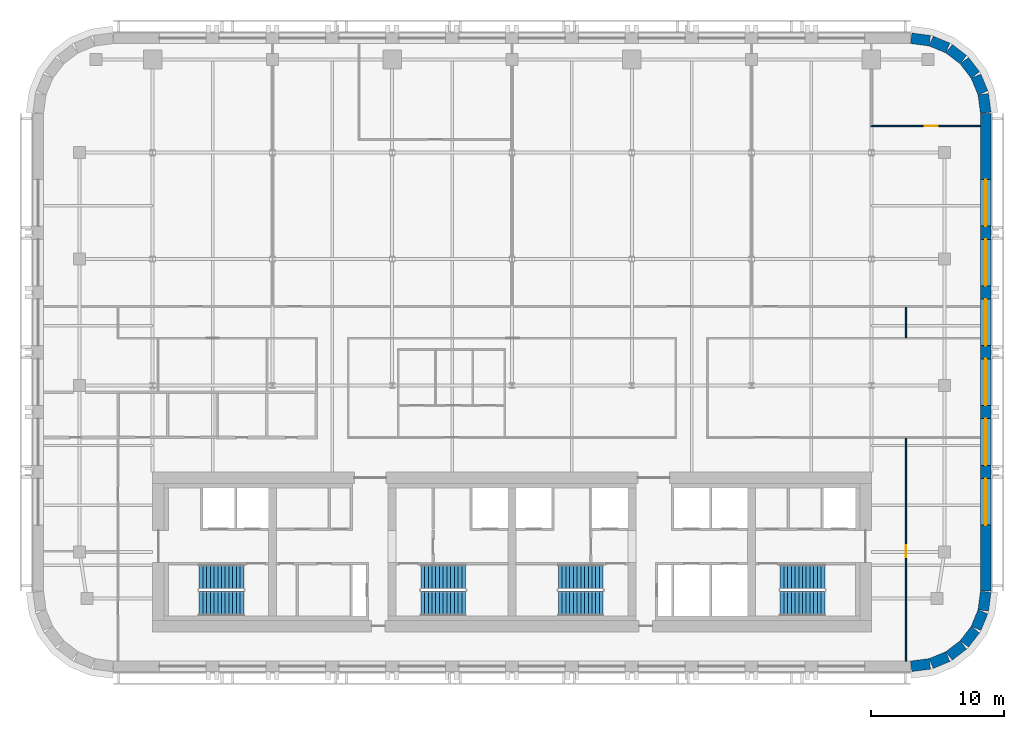
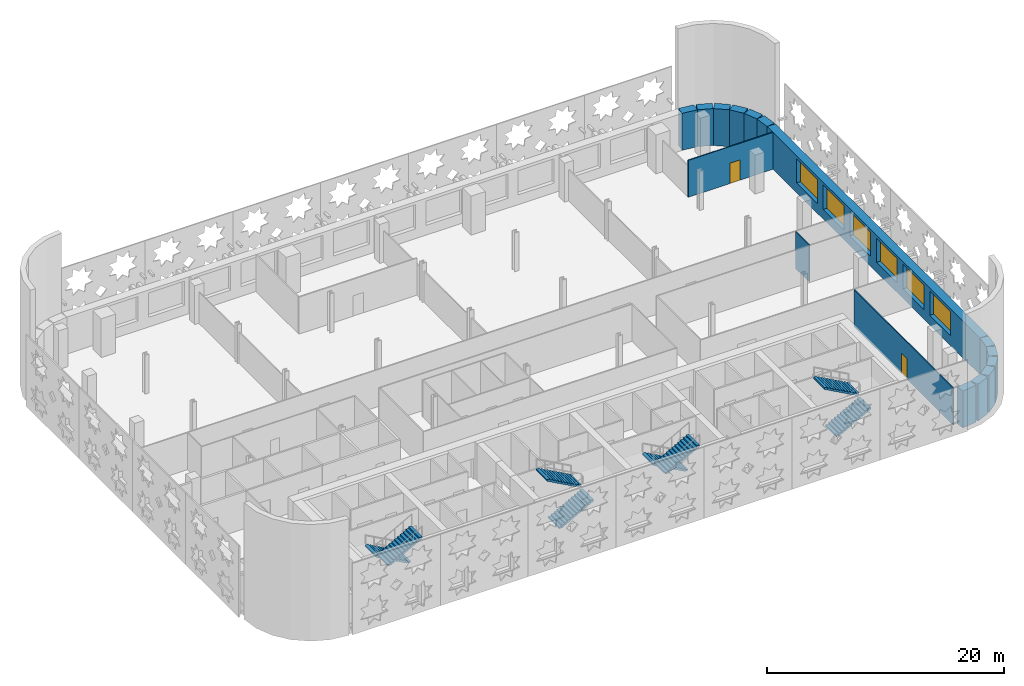
# One storey, part 8 of 14: 16 walls, 8 stair flights, 6 windows, 2 doors, 8 openings, 4 elements without a shape of their own.
"""IFC4 building model written with IfcOpenShell, lengths in metres."""

from ifc_helpers import new_model, si_unit, direction, frame, frame_2d, origin, place, context, subcontext, project, spatial, polyline, rectangle, outline, extrude, material, layer, layer_set, type_object, element, fill, aggregate, save


model = new_model("IFC4")

# Units and contexts
model_context = context("Model", 3, precision=1e-05, world=origin(), true_north=direction((0.0, 1.0)))
body_context = subcontext(model_context, "Body", "Model", "MODEL_VIEW")
ifc_project = project(units=[si_unit("LENGTHUNIT", "METRE"), si_unit("AREAUNIT", "SQUARE_METRE"), si_unit("VOLUMEUNIT", "CUBIC_METRE"), si_unit("PLANEANGLEUNIT", "RADIAN"), si_unit("MASSUNIT", "GRAM", prefix="KILO")], contexts=[model_context])

# Site, building, storey
site_placement = place(None, origin())
site = spatial("IfcSite", under=ifc_project, at=site_placement, CompositionType="ELEMENT")
building_placement = place(site_placement, origin())
building = spatial("IfcBuilding", under=site, at=building_placement, Name="Zellij Exchange Tower", CompositionType="ELEMENT")
storey_placement = place(building_placement, frame((0.0, 0.0, 188.5)))
storey = spatial("IfcBuildingStorey", under=building, at=storey_placement, Name="L43", CompositionType="ELEMENT", Elevation=188.5)

# Walls
ifc_material_1 = material(Name="Precast concrete C40/50", Category="concrete")
ifc_layer_1 = layer(ifc_material_1, 0.800048828125)
ifc_layer_set_1 = layer_set([ifc_layer_1], Name="Precast concrete C40/50")
wall_type_1 = type_object("IfcWallType", Name="ENV-EW1 Precast stone-piered wall 800", PredefinedType="SOLIDWALL", material=ifc_layer_set_1)
wall_1_placement = place(storey_placement, frame((29.999755859375, -16.5966796875, 0.0), z_axis=(0.0, 0.0, 1.0), x_axis=(0.99144603414, 0.130517283865, 0.0)))
element("IfcWall", 1, at=wall_1_placement, inside=storey, type_object=wall_type_1, Name="fac.L43.01", PredefinedType="SOLIDWALL", context=body_context, shape_type="SweptSolid", body=[
    extrude(rectangle(XDim=1.408447265625, YDim=0.800048828125, at=frame_2d((0.7041015625, 0.0))), origin(), (0.0, 0.0, 1.0), 3.800048828125),
])
wall_2_placement = place(storey_placement, frame((31.497314453125, -16.3857421875, 0.0), z_axis=(0.0, 0.0, 1.0), x_axis=(0.923847774587, 0.38276009378, 0.0)))
element("IfcWall", 2, at=wall_2_placement, inside=storey, type_object=wall_type_1, Name="fac.L43.02", PredefinedType="SOLIDWALL", context=body_context, shape_type="SweptSolid", body=[
    extrude(rectangle(XDim=1.35546875, YDim=0.800048828125, at=frame_2d((0.677734375, 0.0))), origin(), (0.0, 0.0, 1.0), 3.800048828125),
])
for number, where, z_axis, x_axis, name in (
    (3, (32.840087890625, -15.814697265625, 0.0), (0.0, 0.0, 1.0), (0.793272915452, 0.608866226366, 0.0), "fac.L43.03"),
    (4, (33.9892578125, -14.91552734375, 0.0), (0.0, 0.0, 1.0), (0.608866226366, 0.793272915452, 0.0), "fac.L43.04"),
):
    element("IfcWall", number, at=place(storey_placement, frame(where, z_axis=z_axis, x_axis=x_axis)), inside=storey, type_object=wall_type_1, Name=name, PredefinedType="SOLIDWALL", context=body_context, shape_type="SweptSolid", body=[
        extrude(rectangle(XDim=1.355712890625, YDim=0.800048828125, at=frame_2d((0.677734375, 0.0))), origin(), (0.0, 0.0, 1.0), 3.800048828125),
    ])
wall_3_placement = place(storey_placement, frame((34.866943359375, -13.74951171875, 0.0), z_axis=(0.0, 0.0, 1.0), x_axis=(0.38276009378, 0.923847774587, 0.0)))
element("IfcWall", 5, at=wall_3_placement, inside=storey, type_object=wall_type_1, Name="fac.L43.05", PredefinedType="SOLIDWALL", context=body_context, shape_type="SweptSolid", body=[
    extrude(rectangle(XDim=1.35546875, YDim=0.800048828125, at=frame_2d((0.677734375, 0.0))), origin(), (0.0, 0.0, 1.0), 3.800048828125),
])
wall_4_placement = place(storey_placement, frame((35.412841796875, -12.396240234375, 0.0), z_axis=(0.0, 0.0, 1.0), x_axis=(0.130517283865, 0.99144603414, 0.0)))
element("IfcWall", 6, at=wall_4_placement, inside=storey, type_object=wall_type_1, Name="fac.L43.06", PredefinedType="SOLIDWALL", context=body_context, shape_type="SweptSolid", body=[
    extrude(rectangle(XDim=1.408447265625, YDim=0.800048828125, at=frame_2d((0.7041015625, 0.0))), origin(), (0.0, 0.0, 1.0), 3.800048828125),
])

# Wall, openings, windows
wall_5_placement = place(storey_placement, frame((35.60009765625, -10.947509765625, 0.0), z_axis=(0.0, 0.0, 1.0), x_axis=(0.0, 1.0, 0.0)))
wall_5 = element("IfcWall", 7, at=wall_5_placement, inside=storey, type_object=wall_type_1, Name="fac.L43.07", PredefinedType="SOLIDWALL", context=body_context, shape_type="SweptSolid", body=[
    extrude(rectangle(XDim=35.89501953125, YDim=0.800048828125, at=frame_2d((17.947509765625, 0.0))), origin(), (0.0, 0.0, 1.0), 3.800048828125),
])
opening_1_placement = place(wall_5_placement, frame((4.9638671875, 0.0, 1.0)))
opening_1 = element("IfcOpeningElement", 8, at=opening_1_placement, cuts=wall_5, Name="Opening FZ3.13", PredefinedType="OPENING", context=body_context, shape_type="SweptSolid", body=[
    extrude(rectangle(XDim=3.5, YDim=2.5, at=frame_2d((1.75, 1.25))), frame((0.0, 0.412109375, 0.0), z_axis=(0.0, -1.0, 0.0), x_axis=(1.0, 0.0, 0.0)), (0.0, 0.0, 1.0), 0.823974609375),
])
opening_2_placement = place(wall_5_placement, frame((9.45751953125, 0.0, 1.0)))
opening_2 = element("IfcOpeningElement", 9, at=opening_2_placement, cuts=wall_5, Name="Opening FZ3.14", PredefinedType="OPENING", context=body_context, shape_type="SweptSolid", body=[
    extrude(rectangle(XDim=3.5, YDim=2.5, at=frame_2d((1.75, 1.25))), frame((0.0, 0.412109375, 0.0), z_axis=(0.0, -1.0, 0.0), x_axis=(1.0, 0.0, 0.0)), (0.0, 0.0, 1.0), 0.823974609375),
])
opening_3_placement = place(wall_5_placement, frame((13.950927734375, 0.0, 1.0)))
opening_3 = element("IfcOpeningElement", 10, at=opening_3_placement, cuts=wall_5, Name="Opening FZ3.15", PredefinedType="OPENING", context=body_context, shape_type="SweptSolid", body=[
    extrude(rectangle(XDim=3.5, YDim=2.5, at=frame_2d((1.75, 1.25))), frame((0.0, 0.412109375, 0.0), z_axis=(0.0, -1.0, 0.0), x_axis=(1.0, 0.0, 0.0)), (0.0, 0.0, 1.0), 0.823974609375),
])
opening_4_placement = place(wall_5_placement, frame((18.4443359375, 0.0, 1.0)))
opening_4 = element("IfcOpeningElement", 11, at=opening_4_placement, cuts=wall_5, Name="Opening FZ3.16", PredefinedType="OPENING", context=body_context, shape_type="SweptSolid", body=[
    extrude(rectangle(XDim=3.5, YDim=2.5, at=frame_2d((1.75, 1.25))), frame((0.0, 0.412109375, 0.0), z_axis=(0.0, -1.0, 0.0), x_axis=(1.0, 0.0, 0.0)), (0.0, 0.0, 1.0), 0.823974609375),
])
opening_5_placement = place(wall_5_placement, frame((22.937744140625, 0.0, 1.0)))
opening_5 = element("IfcOpeningElement", 12, at=opening_5_placement, cuts=wall_5, Name="Opening FZ3.17", PredefinedType="OPENING", context=body_context, shape_type="SweptSolid", body=[
    extrude(rectangle(XDim=3.5, YDim=2.5, at=frame_2d((1.75, 1.25))), frame((0.0, 0.412109375, 0.0), z_axis=(0.0, -1.0, 0.0), x_axis=(1.0, 0.0, 0.0)), (0.0, 0.0, 1.0), 0.823974609375),
])
opening_6_placement = place(wall_5_placement, frame((27.43115234375, 0.0, 1.0)))
opening_6 = element("IfcOpeningElement", 13, at=opening_6_placement, cuts=wall_5, Name="Opening FZ3.18", PredefinedType="OPENING", context=body_context, shape_type="SweptSolid", body=[
    extrude(rectangle(XDim=3.5, YDim=2.5, at=frame_2d((1.75, 1.25))), frame((0.0, 0.412109375, 0.0), z_axis=(0.0, -1.0, 0.0), x_axis=(1.0, 0.0, 0.0)), (0.0, 0.0, 1.0), 0.823974609375),
])
ifc_material_2 = material(Name="Aluminium frame with insulating glass", Category="aluminium")
window_type = type_object("IfcWindowType", Name="ENV-W1 Window 3500x2500", PartitioningType="SINGLE_PANEL", PredefinedType="WINDOW", material=ifc_material_2)
window_1_placement = place(opening_1_placement, origin())
window_1 = element("IfcWindow", 14, at=window_1_placement, inside=storey, type_object=window_type, Name="Window FZ3.13", OverallHeight=2.5, OverallWidth=3.5, PartitioningType="SINGLE_PANEL", PredefinedType="WINDOW", context=body_context, shape_type="SweptSolid", body=[
    extrude(rectangle(XDim=3.5, YDim=2.5, at=frame_2d((1.75, 1.25))), frame((0.0, 0.030029296875, 0.0), z_axis=(0.0, -1.0, 0.0), x_axis=(1.0, 0.0, 0.0)), (0.0, 0.0, 1.0), 0.06005859375),
])
fill(opening_1, window_1)
window_2_placement = place(opening_2_placement, origin())
window_2 = element("IfcWindow", 15, at=window_2_placement, inside=storey, type_object=window_type, Name="Window FZ3.14", OverallHeight=2.5, OverallWidth=3.5, PartitioningType="SINGLE_PANEL", PredefinedType="WINDOW", context=body_context, shape_type="SweptSolid", body=[
    extrude(rectangle(XDim=3.5, YDim=2.5, at=frame_2d((1.75, 1.25))), frame((0.0, 0.030029296875, 0.0), z_axis=(0.0, -1.0, 0.0), x_axis=(1.0, 0.0, 0.0)), (0.0, 0.0, 1.0), 0.06005859375),
])
fill(opening_2, window_2)
window_3_placement = place(opening_3_placement, origin())
window_3 = element("IfcWindow", 16, at=window_3_placement, inside=storey, type_object=window_type, Name="Window FZ3.15", OverallHeight=2.5, OverallWidth=3.5, PartitioningType="SINGLE_PANEL", PredefinedType="WINDOW", context=body_context, shape_type="SweptSolid", body=[
    extrude(rectangle(XDim=3.5, YDim=2.5, at=frame_2d((1.75, 1.25))), frame((0.0, 0.030029296875, 0.0), z_axis=(0.0, -1.0, 0.0), x_axis=(1.0, 0.0, 0.0)), (0.0, 0.0, 1.0), 0.06005859375),
])
fill(opening_3, window_3)
window_4_placement = place(opening_4_placement, origin())
window_4 = element("IfcWindow", 17, at=window_4_placement, inside=storey, type_object=window_type, Name="Window FZ3.16", OverallHeight=2.5, OverallWidth=3.5, PartitioningType="SINGLE_PANEL", PredefinedType="WINDOW", context=body_context, shape_type="SweptSolid", body=[
    extrude(rectangle(XDim=3.5, YDim=2.5, at=frame_2d((1.75, 1.25))), frame((0.0, 0.030029296875, 0.0), z_axis=(0.0, -1.0, 0.0), x_axis=(1.0, 0.0, 0.0)), (0.0, 0.0, 1.0), 0.06005859375),
])
fill(opening_4, window_4)
window_5_placement = place(opening_5_placement, origin())
window_5 = element("IfcWindow", 18, at=window_5_placement, inside=storey, type_object=window_type, Name="Window FZ3.17", OverallHeight=2.5, OverallWidth=3.5, PartitioningType="SINGLE_PANEL", PredefinedType="WINDOW", context=body_context, shape_type="SweptSolid", body=[
    extrude(rectangle(XDim=3.5, YDim=2.5, at=frame_2d((1.75, 1.25))), frame((0.0, 0.030029296875, 0.0), z_axis=(0.0, -1.0, 0.0), x_axis=(1.0, 0.0, 0.0)), (0.0, 0.0, 1.0), 0.06005859375),
])
fill(opening_5, window_5)
window_6_placement = place(opening_6_placement, origin())
window_6 = element("IfcWindow", 19, at=window_6_placement, inside=storey, type_object=window_type, Name="Window FZ3.18", OverallHeight=2.5, OverallWidth=3.5, PartitioningType="SINGLE_PANEL", PredefinedType="WINDOW", context=body_context, shape_type="SweptSolid", body=[
    extrude(rectangle(XDim=3.5, YDim=2.5, at=frame_2d((1.75, 1.25))), frame((0.0, 0.030029296875, 0.0), z_axis=(0.0, -1.0, 0.0), x_axis=(1.0, 0.0, 0.0)), (0.0, 0.0, 1.0), 0.06005859375),
])
fill(opening_6, window_6)

# Walls
wall_6_placement = place(storey_placement, frame((35.5966796875, 24.999755859375, 0.0), z_axis=(0.0, 0.0, 1.0), x_axis=(-0.130517283865, 0.99144603414, 0.0)))
element("IfcWall", 20, at=wall_6_placement, inside=storey, type_object=wall_type_1, Name="fac.L43.08", PredefinedType="SOLIDWALL", context=body_context, shape_type="SweptSolid", body=[
    extrude(rectangle(XDim=1.408447265625, YDim=0.800048828125, at=frame_2d((0.7041015625, 0.0))), origin(), (0.0, 0.0, 1.0), 3.800048828125),
])
wall_7_placement = place(storey_placement, frame((35.3857421875, 26.497314453125, 0.0), z_axis=(0.0, 0.0, 1.0), x_axis=(-0.38276009378, 0.923847774587, 0.0)))
element("IfcWall", 21, at=wall_7_placement, inside=storey, type_object=wall_type_1, Name="fac.L43.09", PredefinedType="SOLIDWALL", context=body_context, shape_type="SweptSolid", body=[
    extrude(rectangle(XDim=1.35546875, YDim=0.800048828125, at=frame_2d((0.677734375, 0.0))), origin(), (0.0, 0.0, 1.0), 3.800048828125),
])
for number, where, z_axis, x_axis, name in (
    (22, (34.814697265625, 27.840087890625, 0.0), (0.0, 0.0, 1.0), (-0.608866226366, 0.793272915452, 0.0), "fac.L43.10"),
    (23, (33.91552734375, 28.9892578125, 0.0), (0.0, 0.0, 1.0), (-0.793272915452, 0.608866226366, 0.0), "fac.L43.11"),
):
    element("IfcWall", number, at=place(storey_placement, frame(where, z_axis=z_axis, x_axis=x_axis)), inside=storey, type_object=wall_type_1, Name=name, PredefinedType="SOLIDWALL", context=body_context, shape_type="SweptSolid", body=[
        extrude(rectangle(XDim=1.355712890625, YDim=0.800048828125, at=frame_2d((0.677734375, 0.0))), origin(), (0.0, 0.0, 1.0), 3.800048828125),
    ])
wall_8_placement = place(storey_placement, frame((32.74951171875, 29.866943359375, 0.0), z_axis=(0.0, 0.0, 1.0), x_axis=(-0.923847774587, 0.38276009378, 0.0)))
element("IfcWall", 24, at=wall_8_placement, inside=storey, type_object=wall_type_1, Name="fac.L43.12", PredefinedType="SOLIDWALL", context=body_context, shape_type="SweptSolid", body=[
    extrude(rectangle(XDim=1.35546875, YDim=0.800048828125, at=frame_2d((0.677734375, 0.0))), origin(), (0.0, 0.0, 1.0), 3.800048828125),
])
wall_9_placement = place(storey_placement, frame((31.396240234375, 30.412841796875, 0.0), z_axis=(0.0, 0.0, 1.0), x_axis=(-0.99144603414, 0.130517283865, 0.0)))
element("IfcWall", 25, at=wall_9_placement, inside=storey, type_object=wall_type_1, Name="fac.L43.13", PredefinedType="SOLIDWALL", context=body_context, shape_type="SweptSolid", body=[
    extrude(rectangle(XDim=1.408447265625, YDim=0.800048828125, at=frame_2d((0.7041015625, 0.0))), origin(), (0.0, 0.0, 1.0), 3.800048828125),
])

# Wall, opening, door
ifc_material_3 = material(Name="Gypsum board partition on steel studs", Category="steel")
ifc_layer_2 = layer(ifc_material_3, 0.10009765625)
ifc_layer_set_2 = layer_set([ifc_layer_2], Name="Gypsum board partition on steel studs")
wall_type_2 = type_object("IfcWallType", Name="FIT-PARTITION-100", PredefinedType="PARTITIONING", material=ifc_layer_set_2)
wall_10_placement = place(storey_placement, frame((29.60009765625, -16.199951171875, 0.0), z_axis=(0.0, 0.0, 1.0), x_axis=(0.0, 1.0, 0.0)))
wall_10 = element("IfcWall", 26, at=wall_10_placement, inside=storey, type_object=wall_type_2, Name="FIT-PARTITION-100 002", PredefinedType="PARTITIONING", context=body_context, shape_type="SweptSolid", body=[
    extrude(rectangle(XDim=16.75, YDim=0.10009765625, at=frame_2d((8.375, 0.0))), origin(), (0.0, 0.0, 1.0), 3.800048828125),
])
opening_7_placement = place(wall_10_placement, frame((7.800048828125, 0.0, 0.0)))
opening_7 = element("IfcOpeningElement", 27, at=opening_7_placement, cuts=wall_10, Name="Opening O3C.02", PredefinedType="OPENING", context=body_context, shape_type="SweptSolid", body=[
    extrude(rectangle(XDim=0.89990234375, YDim=2.10009765625, at=frame_2d((0.449951171875, 1.050048828125))), frame((0.0, 0.06201171875, 0.0), z_axis=(0.0, -1.0, 0.0), x_axis=(1.0, 0.0, 0.0)), (0.0, 0.0, 1.0), 0.1240234375),
])
ifc_material_4 = material(Name="Timber door set", Category="wood")
door_type_1 = type_object("IfcDoorType", Name="FIT-D1-ROOM-900X2100", OperationType="SINGLE_SWING_LEFT", PredefinedType="DOOR", material=ifc_material_4)
door_1_placement = place(opening_7_placement, origin())
door_1 = element("IfcDoor", 28, at=door_1_placement, inside=storey, type_object=door_type_1, Name="Door O3C.02", OperationType="SINGLE_SWING_LEFT", OverallHeight=2.10009765625, OverallWidth=0.89990234375, PredefinedType="DOOR", context=body_context, shape_type="SweptSolid", body=[
    extrude(rectangle(XDim=0.89990234375, YDim=2.10009765625, at=frame_2d((0.449951171875, 1.050048828125))), frame((0.0, 0.02490234375, 0.0), z_axis=(0.0, -1.0, 0.0), x_axis=(1.0, 0.0, 0.0)), (0.0, 0.0, 1.0), 0.050048828125),
])
fill(opening_7, door_1)

# Wall
wall_11_placement = place(storey_placement, frame((29.60009765625, 8.10009765625, 0.0), z_axis=(0.0, 0.0, 1.0), x_axis=(0.0, 1.0, 0.0)))
element("IfcWall", 29, at=wall_11_placement, inside=storey, type_object=wall_type_2, Name="FIT-PARTITION-100 035", PredefinedType="PARTITIONING", context=body_context, shape_type="SweptSolid", body=[
    extrude(rectangle(XDim=2.2998046875, YDim=0.10009765625, at=frame_2d((1.14990234375, 0.0))), origin(), (0.0, 0.0, 1.0), 3.800048828125),
])

# Wall, opening, door
wall_12_placement = place(storey_placement, frame((26.949951171875, 24.0, 0.0), z_axis=(0.0, 0.0, 1.0), x_axis=(1.0, 0.0, 0.0)))
wall_12 = element("IfcWall", 30, at=wall_12_placement, inside=storey, type_object=wall_type_2, Name="FIT-PARTITION-100 051", PredefinedType="PARTITIONING", context=body_context, shape_type="SweptSolid", body=[
    extrude(rectangle(XDim=8.25, YDim=0.10009765625, at=frame_2d((4.125, 0.0))), origin(), (0.0, 0.0, 1.0), 3.800048828125),
])
opening_8_placement = place(wall_12_placement, frame((4.050048828125, 0.0, 0.0)))
opening_8 = element("IfcOpeningElement", 31, at=opening_8_placement, cuts=wall_12, Name="Opening O3C.21", PredefinedType="OPENING", context=body_context, shape_type="SweptSolid", body=[
    extrude(rectangle(XDim=1.0, YDim=2.10009765625, at=frame_2d((0.5, 1.050048828125))), frame((0.0, 0.06201171875, 0.0), z_axis=(0.0, -1.0, 0.0), x_axis=(1.0, 0.0, 0.0)), (0.0, 0.0, 1.0), 0.1240234375),
])
door_type_2 = type_object("IfcDoorType", Name="FIT-D2-WIDE-1000X2100", OperationType="SINGLE_SWING_LEFT", PredefinedType="DOOR", material=ifc_material_4)
door_2_placement = place(opening_8_placement, origin())
door_2 = element("IfcDoor", 32, at=door_2_placement, inside=storey, type_object=door_type_2, Name="Door O3C.21", OperationType="SINGLE_SWING_LEFT", OverallHeight=2.10009765625, OverallWidth=1.0, PredefinedType="DOOR", context=body_context, shape_type="SweptSolid", body=[
    extrude(rectangle(XDim=1.0, YDim=2.10009765625, at=frame_2d((0.5, 1.050048828125))), frame((0.0, 0.02490234375, 0.0), z_axis=(0.0, -1.0, 0.0), x_axis=(1.0, 0.0, 0.0)), (0.0, 0.0, 1.0), 0.050048828125),
])
fill(opening_8, door_2)

# Stair, stair flights
ifc_material_5 = material(Name="Concrete C40/50", Category="concrete")
stair_type = type_object("IfcStairType", Name="CORE-ST exit stair 1850 wide", PredefinedType="HALF_TURN_STAIR", material=ifc_material_5)
stair_1_placement = place(storey_placement, origin())
stair_1 = element("IfcStair", 33, at=stair_1_placement, inside=storey, type_object=stair_type, Name="L43 exit stair ST1", PredefinedType="HALF_TURN_STAIR")
stair_flight_type = type_object("IfcStairFlightType", Name="CORE-SF flight 1850 riser 153.8 going 280", PredefinedType="STRAIGHT", material=ifc_material_5)
stair_flight_1_placement = place(storey_placement, frame((-20.14990234375, -9.875, 0.0), z_axis=(0.0, 0.0, 1.0), x_axis=(-1.0, 0.0, 0.0)))
stair_flight_1 = element("IfcStairFlight", 34, at=stair_flight_1_placement, type_object=stair_flight_type, Name="ST1 flight 1", NumberOfRisers=13, NumberOfTreads=12, PredefinedType="STRAIGHT", RiserHeight=0.153846154, TreadLength=0.28, context=body_context, shape_type="SweptSolid", body=[
    extrude(outline(polyline([(0.0, 0.0), (0.0, 0.15380859375), (0.280029296875, 0.15380859375), (0.280029296875, 0.3076171875), (0.56005859375, 0.3076171875), (0.56005859375, 0.46142578125), (0.840087890625, 0.46142578125), (0.840087890625, 0.615478515625), (1.1201171875, 0.615478515625), (1.1201171875, 0.769287109375), (1.39990234375, 0.769287109375), (1.39990234375, 0.923095703125), (1.679931640625, 0.923095703125), (1.679931640625, 1.076904296875), (1.9599609375, 1.076904296875), (1.9599609375, 1.230712890625), (2.239990234375, 1.230712890625), (2.239990234375, 1.384521484375), (2.52001953125, 1.384521484375), (2.52001953125, 1.53857421875), (2.800048828125, 1.53857421875), (2.800048828125, 1.6923828125), (3.080078125, 1.6923828125), (3.080078125, 1.84619140625), (3.360107421875, 1.84619140625), (3.360107421875, 2.0), (3.360107421875, 1.675048828125), (0.311279296875, 0.0), (0.0, 0.0)])), frame((0.0, 0.925048828125, 0.0), z_axis=(0.0, -1.0, 0.0), x_axis=(1.0, 0.0, 0.0)), (0.0, 0.0, 1.0), 1.85009765625),
])
stair_flight_2_placement = place(storey_placement, frame((-23.510009765625, -11.875, 2.0), z_axis=(0.0, 0.0, 1.0), x_axis=(1.0, 0.0, 0.0)))
stair_flight_2 = element("IfcStairFlight", 35, at=stair_flight_2_placement, type_object=stair_flight_type, Name="ST1 flight 2", NumberOfRisers=13, NumberOfTreads=12, PredefinedType="STRAIGHT", RiserHeight=0.153846154, TreadLength=0.28, context=body_context, shape_type="SweptSolid", body=[
    extrude(outline(polyline([(0.0, 0.0), (0.0, 0.15380859375), (0.280029296875, 0.15380859375), (0.280029296875, 0.3076171875), (0.56005859375, 0.3076171875), (0.56005859375, 0.46142578125), (0.840087890625, 0.46142578125), (0.840087890625, 0.615478515625), (1.1201171875, 0.615478515625), (1.1201171875, 0.769287109375), (1.39990234375, 0.769287109375), (1.39990234375, 0.923095703125), (1.679931640625, 0.923095703125), (1.679931640625, 1.076904296875), (1.9599609375, 1.076904296875), (1.9599609375, 1.230712890625), (2.239990234375, 1.230712890625), (2.239990234375, 1.384521484375), (2.52001953125, 1.384521484375), (2.52001953125, 1.53857421875), (2.800048828125, 1.53857421875), (2.800048828125, 1.6923828125), (3.080078125, 1.6923828125), (3.080078125, 1.84619140625), (3.360107421875, 1.84619140625), (3.360107421875, 2.0), (3.360107421875, 1.675048828125), (0.311279296875, 0.0), (0.0, 0.0)])), frame((0.0, 0.925048828125, 0.0), z_axis=(0.0, -1.0, 0.0), x_axis=(1.0, 0.0, 0.0)), (0.0, 0.0, 1.0), 1.85009765625),
])
aggregate(stair_1, [stair_flight_1, stair_flight_2])

stair_2_placement = place(storey_placement, origin())
stair_2 = element("IfcStair", 36, at=stair_2_placement, inside=storey, type_object=stair_type, Name="L43 exit stair ST2", PredefinedType="HALF_TURN_STAIR")
stair_flight_3_placement = place(storey_placement, frame((-6.85009765625, -11.875, 0.0), z_axis=(0.0, 0.0, 1.0), x_axis=(1.0, 0.0, 0.0)))
stair_flight_3 = element("IfcStairFlight", 37, at=stair_flight_3_placement, type_object=stair_flight_type, Name="ST2 flight 1", NumberOfRisers=13, NumberOfTreads=12, PredefinedType="STRAIGHT", RiserHeight=0.153846154, TreadLength=0.28, context=body_context, shape_type="SweptSolid", body=[
    extrude(outline(polyline([(0.0, 0.0), (0.0, 0.15380859375), (0.280029296875, 0.15380859375), (0.280029296875, 0.3076171875), (0.56005859375, 0.3076171875), (0.56005859375, 0.46142578125), (0.840087890625, 0.46142578125), (0.840087890625, 0.615478515625), (1.1201171875, 0.615478515625), (1.1201171875, 0.769287109375), (1.39990234375, 0.769287109375), (1.39990234375, 0.923095703125), (1.679931640625, 0.923095703125), (1.679931640625, 1.076904296875), (1.9599609375, 1.076904296875), (1.9599609375, 1.230712890625), (2.239990234375, 1.230712890625), (2.239990234375, 1.384521484375), (2.52001953125, 1.384521484375), (2.52001953125, 1.53857421875), (2.800048828125, 1.53857421875), (2.800048828125, 1.6923828125), (3.080078125, 1.6923828125), (3.080078125, 1.84619140625), (3.360107421875, 1.84619140625), (3.360107421875, 2.0), (3.360107421875, 1.675048828125), (0.311279296875, 0.0), (0.0, 0.0)])), frame((0.0, 0.925048828125, 0.0), z_axis=(0.0, -1.0, 0.0), x_axis=(1.0, 0.0, 0.0)), (0.0, 0.0, 1.0), 1.85009765625),
])
stair_flight_4_placement = place(storey_placement, frame((-3.489990234375, -9.875, 2.0), z_axis=(0.0, 0.0, 1.0), x_axis=(-1.0, 0.0, 0.0)))
stair_flight_4 = element("IfcStairFlight", 38, at=stair_flight_4_placement, type_object=stair_flight_type, Name="ST2 flight 2", NumberOfRisers=13, NumberOfTreads=12, PredefinedType="STRAIGHT", RiserHeight=0.153846154, TreadLength=0.28, context=body_context, shape_type="SweptSolid", body=[
    extrude(outline(polyline([(0.0, 0.0), (0.0, 0.15380859375), (0.280029296875, 0.15380859375), (0.280029296875, 0.3076171875), (0.56005859375, 0.3076171875), (0.56005859375, 0.46142578125), (0.840087890625, 0.46142578125), (0.840087890625, 0.615478515625), (1.1201171875, 0.615478515625), (1.1201171875, 0.769287109375), (1.39990234375, 0.769287109375), (1.39990234375, 0.923095703125), (1.679931640625, 0.923095703125), (1.679931640625, 1.076904296875), (1.9599609375, 1.076904296875), (1.9599609375, 1.230712890625), (2.239990234375, 1.230712890625), (2.239990234375, 1.384521484375), (2.52001953125, 1.384521484375), (2.52001953125, 1.53857421875), (2.800048828125, 1.53857421875), (2.800048828125, 1.6923828125), (3.080078125, 1.6923828125), (3.080078125, 1.84619140625), (3.360107421875, 1.84619140625), (3.360107421875, 2.0), (3.360107421875, 1.675048828125), (0.311279296875, 0.0), (0.0, 0.0)])), frame((0.0, 0.925048828125, 0.0), z_axis=(0.0, -1.0, 0.0), x_axis=(1.0, 0.0, 0.0)), (0.0, 0.0, 1.0), 1.85009765625),
])
aggregate(stair_2, [stair_flight_3, stair_flight_4])

stair_3_placement = place(storey_placement, origin())
stair_3 = element("IfcStair", 39, at=stair_3_placement, inside=storey, type_object=stair_type, Name="L43 exit stair ST3", PredefinedType="HALF_TURN_STAIR")
stair_flight_5_placement = place(storey_placement, frame((6.85009765625, -9.875, 0.0), z_axis=(0.0, 0.0, 1.0), x_axis=(-1.0, 0.0, 0.0)))
stair_flight_5 = element("IfcStairFlight", 40, at=stair_flight_5_placement, type_object=stair_flight_type, Name="ST3 flight 1", NumberOfRisers=13, NumberOfTreads=12, PredefinedType="STRAIGHT", RiserHeight=0.153846154, TreadLength=0.28, context=body_context, shape_type="SweptSolid", body=[
    extrude(outline(polyline([(0.0, 0.0), (0.0, 0.15380859375), (0.280029296875, 0.15380859375), (0.280029296875, 0.3076171875), (0.56005859375, 0.3076171875), (0.56005859375, 0.46142578125), (0.840087890625, 0.46142578125), (0.840087890625, 0.615478515625), (1.1201171875, 0.615478515625), (1.1201171875, 0.769287109375), (1.39990234375, 0.769287109375), (1.39990234375, 0.923095703125), (1.679931640625, 0.923095703125), (1.679931640625, 1.076904296875), (1.9599609375, 1.076904296875), (1.9599609375, 1.230712890625), (2.239990234375, 1.230712890625), (2.239990234375, 1.384521484375), (2.52001953125, 1.384521484375), (2.52001953125, 1.53857421875), (2.800048828125, 1.53857421875), (2.800048828125, 1.6923828125), (3.080078125, 1.6923828125), (3.080078125, 1.84619140625), (3.360107421875, 1.84619140625), (3.360107421875, 2.0), (3.360107421875, 1.675048828125), (0.311279296875, 0.0), (0.0, 0.0)])), frame((0.0, 0.925048828125, 0.0), z_axis=(0.0, -1.0, 0.0), x_axis=(1.0, 0.0, 0.0)), (0.0, 0.0, 1.0), 1.85009765625),
])
stair_flight_6_placement = place(storey_placement, frame((3.489990234375, -11.875, 2.0), z_axis=(0.0, 0.0, 1.0), x_axis=(1.0, 0.0, 0.0)))
stair_flight_6 = element("IfcStairFlight", 41, at=stair_flight_6_placement, type_object=stair_flight_type, Name="ST3 flight 2", NumberOfRisers=13, NumberOfTreads=12, PredefinedType="STRAIGHT", RiserHeight=0.153846154, TreadLength=0.28, context=body_context, shape_type="SweptSolid", body=[
    extrude(outline(polyline([(0.0, 0.0), (0.0, 0.15380859375), (0.280029296875, 0.15380859375), (0.280029296875, 0.3076171875), (0.56005859375, 0.3076171875), (0.56005859375, 0.46142578125), (0.840087890625, 0.46142578125), (0.840087890625, 0.615478515625), (1.1201171875, 0.615478515625), (1.1201171875, 0.769287109375), (1.39990234375, 0.769287109375), (1.39990234375, 0.923095703125), (1.679931640625, 0.923095703125), (1.679931640625, 1.076904296875), (1.9599609375, 1.076904296875), (1.9599609375, 1.230712890625), (2.239990234375, 1.230712890625), (2.239990234375, 1.384521484375), (2.52001953125, 1.384521484375), (2.52001953125, 1.53857421875), (2.800048828125, 1.53857421875), (2.800048828125, 1.6923828125), (3.080078125, 1.6923828125), (3.080078125, 1.84619140625), (3.360107421875, 1.84619140625), (3.360107421875, 2.0), (3.360107421875, 1.675048828125), (0.311279296875, 0.0), (0.0, 0.0)])), frame((0.0, 0.925048828125, 0.0), z_axis=(0.0, -1.0, 0.0), x_axis=(1.0, 0.0, 0.0)), (0.0, 0.0, 1.0), 1.85009765625),
])
aggregate(stair_3, [stair_flight_5, stair_flight_6])

stair_4_placement = place(storey_placement, origin())
stair_4 = element("IfcStair", 42, at=stair_4_placement, inside=storey, type_object=stair_type, Name="L43 exit stair ST4", PredefinedType="HALF_TURN_STAIR")
stair_flight_7_placement = place(storey_placement, frame((20.14990234375, -11.875, 0.0), z_axis=(0.0, 0.0, 1.0), x_axis=(1.0, 0.0, 0.0)))
stair_flight_7 = element("IfcStairFlight", 43, at=stair_flight_7_placement, type_object=stair_flight_type, Name="ST4 flight 1", NumberOfRisers=13, NumberOfTreads=12, PredefinedType="STRAIGHT", RiserHeight=0.153846154, TreadLength=0.28, context=body_context, shape_type="SweptSolid", body=[
    extrude(outline(polyline([(0.0, 0.0), (0.0, 0.15380859375), (0.280029296875, 0.15380859375), (0.280029296875, 0.3076171875), (0.56005859375, 0.3076171875), (0.56005859375, 0.46142578125), (0.840087890625, 0.46142578125), (0.840087890625, 0.615478515625), (1.1201171875, 0.615478515625), (1.1201171875, 0.769287109375), (1.39990234375, 0.769287109375), (1.39990234375, 0.923095703125), (1.679931640625, 0.923095703125), (1.679931640625, 1.076904296875), (1.9599609375, 1.076904296875), (1.9599609375, 1.230712890625), (2.239990234375, 1.230712890625), (2.239990234375, 1.384521484375), (2.52001953125, 1.384521484375), (2.52001953125, 1.53857421875), (2.800048828125, 1.53857421875), (2.800048828125, 1.6923828125), (3.080078125, 1.6923828125), (3.080078125, 1.84619140625), (3.360107421875, 1.84619140625), (3.360107421875, 2.0), (3.360107421875, 1.675048828125), (0.311279296875, 0.0), (0.0, 0.0)])), frame((0.0, 0.925048828125, 0.0), z_axis=(0.0, -1.0, 0.0), x_axis=(1.0, 0.0, 0.0)), (0.0, 0.0, 1.0), 1.85009765625),
])
stair_flight_8_placement = place(storey_placement, frame((23.510009765625, -9.875, 2.0), z_axis=(0.0, 0.0, 1.0), x_axis=(-1.0, 0.0, 0.0)))
stair_flight_8 = element("IfcStairFlight", 44, at=stair_flight_8_placement, type_object=stair_flight_type, Name="ST4 flight 2", NumberOfRisers=13, NumberOfTreads=12, PredefinedType="STRAIGHT", RiserHeight=0.153846154, TreadLength=0.28, context=body_context, shape_type="SweptSolid", body=[
    extrude(outline(polyline([(0.0, 0.0), (0.0, 0.15380859375), (0.280029296875, 0.15380859375), (0.280029296875, 0.3076171875), (0.56005859375, 0.3076171875), (0.56005859375, 0.46142578125), (0.840087890625, 0.46142578125), (0.840087890625, 0.615478515625), (1.1201171875, 0.615478515625), (1.1201171875, 0.769287109375), (1.39990234375, 0.769287109375), (1.39990234375, 0.923095703125), (1.679931640625, 0.923095703125), (1.679931640625, 1.076904296875), (1.9599609375, 1.076904296875), (1.9599609375, 1.230712890625), (2.239990234375, 1.230712890625), (2.239990234375, 1.384521484375), (2.52001953125, 1.384521484375), (2.52001953125, 1.53857421875), (2.800048828125, 1.53857421875), (2.800048828125, 1.6923828125), (3.080078125, 1.6923828125), (3.080078125, 1.84619140625), (3.360107421875, 1.84619140625), (3.360107421875, 2.0), (3.360107421875, 1.675048828125), (0.311279296875, 0.0), (0.0, 0.0)])), frame((0.0, 0.925048828125, 0.0), z_axis=(0.0, -1.0, 0.0), x_axis=(1.0, 0.0, 0.0)), (0.0, 0.0, 1.0), 1.85009765625),
])
aggregate(stair_4, [stair_flight_7, stair_flight_8])

save(model, "model.ifc")
